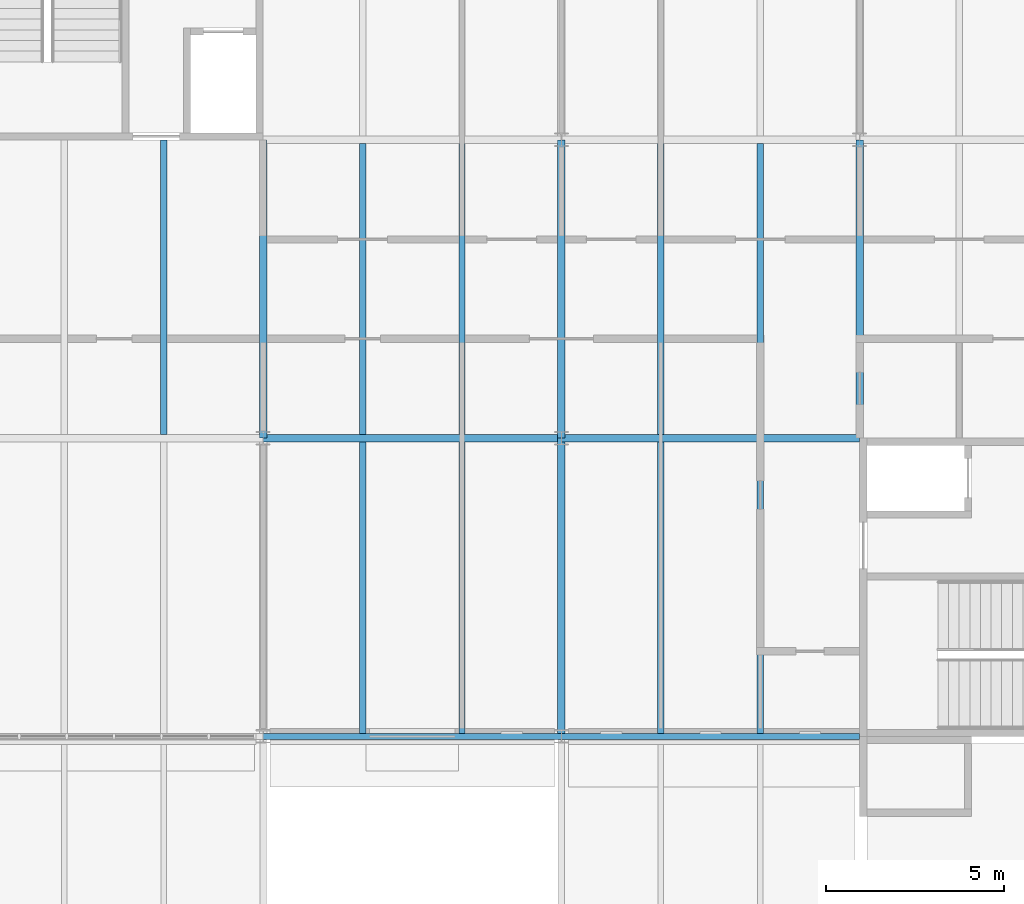
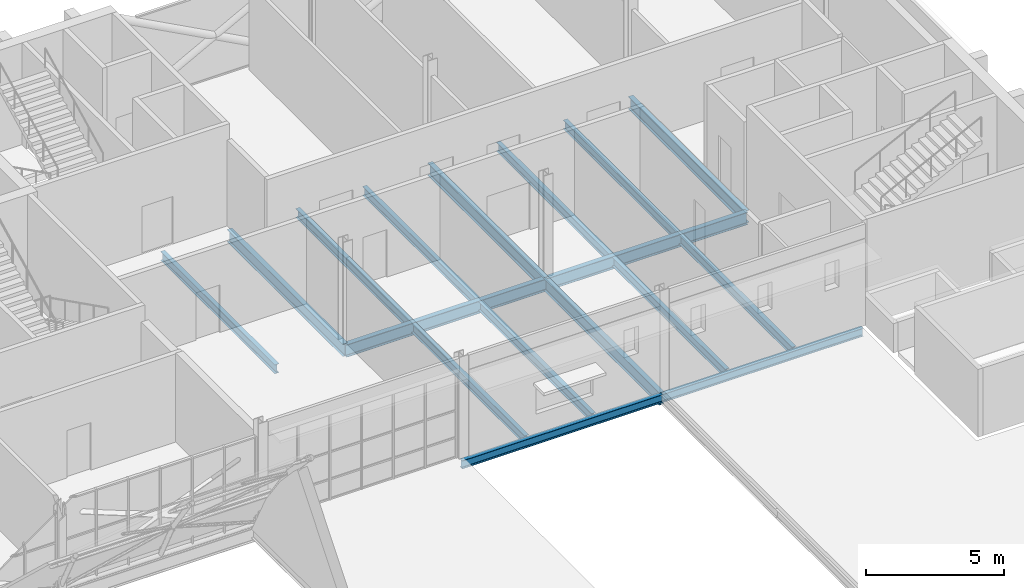
# One storey, part 59 of 121: 17 beams.
"""IFC4 building model written with IfcOpenShell, lengths in metres."""

from ifc_helpers import new_model, si_unit, direction, frame, origin, origin_2d, place, context, subcontext, project, spatial, i_section, extrude, material, material_profile, profile_set, type_object, element, save


model = new_model("IFC4")

# Units and contexts
model_context = context("Model", 3, precision=1e-05, world=origin(), true_north=direction((0.0, 1.0)))
body_context = subcontext(model_context, "Body", "Model", "MODEL_VIEW")
ifc_project = project(units=[si_unit("LENGTHUNIT", "METRE"), si_unit("AREAUNIT", "SQUARE_METRE"), si_unit("VOLUMEUNIT", "CUBIC_METRE"), si_unit("PLANEANGLEUNIT", "RADIAN"), si_unit("MASSUNIT", "GRAM", prefix="KILO")], contexts=[model_context])

# Site, building, storey
site_placement = place(None, origin())
site = spatial("IfcSite", under=ifc_project, at=site_placement, CompositionType="ELEMENT")
building_placement = place(site_placement, origin())
building = spatial("IfcBuilding", under=site, at=building_placement, Name="Ardhachandra Cancer Care Centre", CompositionType="ELEMENT")
storey_placement = place(building_placement, frame((0.0, 0.0, 9.0)))
storey = spatial("IfcBuildingStorey", under=building, at=storey_placement, Name="L02", CompositionType="ELEMENT", Elevation=9.0)

# Beams
ifc_material_1 = material(Name="Steel E350 (IS 2062)", Category="steel")
ifc_material_profile_1 = material_profile(ifc_material_1, i_section(OverallWidth=0.172119140625, OverallDepth=0.364013671875, WebThickness=0.00927734375, FlangeThickness=0.0146484375, FilletRadius=0.01806640625, at=origin_2d()), Name="NPB 350x170x66.04")
ifc_profile_set_1 = profile_set([ifc_material_profile_1], Name="Steel E350 (IS 2062)")
beam_type_1 = type_object("IfcBeamType", Name="Beam NPB 350x170x66.04", PredefinedType="BEAM", material=ifc_profile_set_1)
beam_1_placement = place(storey_placement, frame((120.0, 79.800048828125, -0.382080078125), z_axis=(1.0, 0.0, 0.0), x_axis=(0.0, 1.0, 0.0)))
element("IfcBeam", 1, at=beam_1_placement, inside=storey, type_object=beam_type_1, Name="Edge girder J14-J15", PredefinedType="BEAM", context=body_context, shape_type="SweptSolid", body=[
    extrude(i_section(OverallWidth=0.172119140625, OverallDepth=0.364013671875, WebThickness=0.00927734375, FlangeThickness=0.0146484375, FilletRadius=0.01806640625, at=origin_2d()), origin(), (0.0, 0.0, 1.0), 8.39990234375),
])
beam_2_placement = place(storey_placement, frame((128.39990234375, 79.800048828125, -0.382080078125), z_axis=(1.0, 0.0, 0.0), x_axis=(0.0, 1.0, 0.0)))
element("IfcBeam", 2, at=beam_2_placement, inside=storey, type_object=beam_type_1, Name="Edge girder J15-J16", PredefinedType="BEAM", context=body_context, shape_type="SweptSolid", body=[
    extrude(i_section(OverallWidth=0.172119140625, OverallDepth=0.364013671875, WebThickness=0.00927734375, FlangeThickness=0.0146484375, FilletRadius=0.01806640625, at=origin_2d()), origin(), (0.0, 0.0, 1.0), 8.400146484375),
])
ifc_material_2 = material(Name="Steel E350 (IS 2062)", Category="steel")
ifc_material_profile_2 = material_profile(ifc_material_2, i_section(OverallWidth=0.179931640625, OverallDepth=0.39990234375, WebThickness=0.008544921875, FlangeThickness=0.013427734375, FilletRadius=0.02099609375, at=origin_2d()), Name="NPB 400x180x66.30")
ifc_profile_set_2 = profile_set([ifc_material_profile_2], Name="Steel E350 (IS 2062)")
beam_type_2 = type_object("IfcBeamType", Name="Beam NPB 400x180x66.30", PredefinedType="BEAM", material=ifc_profile_set_2)
beam_3_placement = place(storey_placement, frame((117.199951171875, 88.304931640625, -0.35009765625), z_axis=(0.0, 1.0, 0.0), x_axis=(-1.0, 0.0, 0.0)))
element("IfcBeam", 3, at=beam_3_placement, inside=storey, type_object=beam_type_2, Name="Secondary K13-L13@5600", PredefinedType="BEAM", context=body_context, shape_type="SweptSolid", body=[
    extrude(i_section(OverallWidth=0.179931640625, OverallDepth=0.39990234375, WebThickness=0.008544921875, FlangeThickness=0.013427734375, FilletRadius=0.02099609375, at=origin_2d()), origin(), (0.0, 0.0, 1.0), 8.295166015625),
])
beam_4_placement = place(storey_placement, frame((122.800048828125, 79.885986328125, -0.35009765625), z_axis=(0.0, 1.0, 0.0), x_axis=(-1.0, 0.0, 0.0)))
element("IfcBeam", 4, at=beam_4_placement, inside=storey, type_object=beam_type_2, Name="Secondary J14-K14@2800", PredefinedType="BEAM", context=body_context, shape_type="SweptSolid", body=[
    extrude(i_section(OverallWidth=0.179931640625, OverallDepth=0.39990234375, WebThickness=0.008544921875, FlangeThickness=0.013427734375, FilletRadius=0.02099609375, at=origin_2d()), origin(), (0.0, 0.0, 1.0), 8.208984375),
])
beam_5_placement = place(storey_placement, frame((122.800048828125, 88.304931640625, -0.35009765625), z_axis=(0.0, 1.0, 0.0), x_axis=(-1.0, 0.0, 0.0)))
element("IfcBeam", 5, at=beam_5_placement, inside=storey, type_object=beam_type_2, Name="Secondary K14-L14@2800", PredefinedType="BEAM", context=body_context, shape_type="SweptSolid", body=[
    extrude(i_section(OverallWidth=0.179931640625, OverallDepth=0.39990234375, WebThickness=0.008544921875, FlangeThickness=0.013427734375, FilletRadius=0.02099609375, at=origin_2d()), origin(), (0.0, 0.0, 1.0), 8.190185546875),
])
beam_6_placement = place(storey_placement, frame((125.60009765625, 79.885986328125, -0.35009765625), z_axis=(0.0, 1.0, 0.0), x_axis=(-1.0, 0.0, 0.0)))
element("IfcBeam", 6, at=beam_6_placement, inside=storey, type_object=beam_type_2, Name="Secondary J14-K14@5600", PredefinedType="BEAM", context=body_context, shape_type="SweptSolid", body=[
    extrude(i_section(OverallWidth=0.179931640625, OverallDepth=0.39990234375, WebThickness=0.008544921875, FlangeThickness=0.013427734375, FilletRadius=0.02099609375, at=origin_2d()), origin(), (0.0, 0.0, 1.0), 8.208984375),
])
beam_7_placement = place(storey_placement, frame((125.60009765625, 88.304931640625, -0.35009765625), z_axis=(0.0, 1.0, 0.0), x_axis=(-1.0, 0.0, 0.0)))
element("IfcBeam", 7, at=beam_7_placement, inside=storey, type_object=beam_type_2, Name="Secondary K14-L14@5600", PredefinedType="BEAM", context=body_context, shape_type="SweptSolid", body=[
    extrude(i_section(OverallWidth=0.179931640625, OverallDepth=0.39990234375, WebThickness=0.008544921875, FlangeThickness=0.013427734375, FilletRadius=0.02099609375, at=origin_2d()), origin(), (0.0, 0.0, 1.0), 8.190185546875),
])
beam_8_placement = place(storey_placement, frame((131.199951171875, 79.885986328125, -0.35009765625), z_axis=(0.0, 1.0, 0.0), x_axis=(-1.0, 0.0, 0.0)))
element("IfcBeam", 8, at=beam_8_placement, inside=storey, type_object=beam_type_2, Name="Secondary J15-K15@2800", PredefinedType="BEAM", context=body_context, shape_type="SweptSolid", body=[
    extrude(i_section(OverallWidth=0.179931640625, OverallDepth=0.39990234375, WebThickness=0.008544921875, FlangeThickness=0.013427734375, FilletRadius=0.02099609375, at=origin_2d()), origin(), (0.0, 0.0, 1.0), 8.208984375),
])
beam_9_placement = place(storey_placement, frame((131.199951171875, 88.304931640625, -0.35009765625), z_axis=(0.0, 1.0, 0.0), x_axis=(-1.0, 0.0, 0.0)))
element("IfcBeam", 9, at=beam_9_placement, inside=storey, type_object=beam_type_2, Name="Secondary K15-L15@2800", PredefinedType="BEAM", context=body_context, shape_type="SweptSolid", body=[
    extrude(i_section(OverallWidth=0.179931640625, OverallDepth=0.39990234375, WebThickness=0.008544921875, FlangeThickness=0.013427734375, FilletRadius=0.02099609375, at=origin_2d()), origin(), (0.0, 0.0, 1.0), 8.190185546875),
])
beam_10_placement = place(storey_placement, frame((134.0, 79.885986328125, -0.35009765625), z_axis=(0.0, 1.0, 0.0), x_axis=(-1.0, 0.0, 0.0)))
element("IfcBeam", 10, at=beam_10_placement, inside=storey, type_object=beam_type_2, Name="Secondary J15-K15@5600", PredefinedType="BEAM", context=body_context, shape_type="SweptSolid", body=[
    extrude(i_section(OverallWidth=0.179931640625, OverallDepth=0.39990234375, WebThickness=0.008544921875, FlangeThickness=0.013427734375, FilletRadius=0.02099609375, at=origin_2d()), origin(), (0.0, 0.0, 1.0), 8.208984375),
])
beam_11_placement = place(storey_placement, frame((134.0, 88.304931640625, -0.35009765625), z_axis=(0.0, 1.0, 0.0), x_axis=(-1.0, 0.0, 0.0)))
element("IfcBeam", 11, at=beam_11_placement, inside=storey, type_object=beam_type_2, Name="Secondary K15-L15@5600", PredefinedType="BEAM", context=body_context, shape_type="SweptSolid", body=[
    extrude(i_section(OverallWidth=0.179931640625, OverallDepth=0.39990234375, WebThickness=0.008544921875, FlangeThickness=0.013427734375, FilletRadius=0.02099609375, at=origin_2d()), origin(), (0.0, 0.0, 1.0), 8.190185546875),
])
ifc_material_3 = material(Name="Steel E350 (IS 2062)", Category="steel")
ifc_material_profile_3 = material_profile(ifc_material_3, i_section(OverallWidth=0.2099609375, OverallDepth=0.550048828125, WebThickness=0.010986328125, FlangeThickness=0.01708984375, FilletRadius=0.02392578125, at=origin_2d()), Name="NPB 550x210x105.52")
ifc_profile_set_3 = profile_set([ifc_material_profile_3], Name="Steel E350 (IS 2062)")
beam_type_3 = type_object("IfcBeamType", Name="Beam NPB 550x210x105.52", PredefinedType="BEAM", material=ifc_profile_set_3)
beam_12_placement = place(storey_placement, frame((120.0, 88.199951171875, -0.425048828125), z_axis=(1.0, 0.0, 0.0), x_axis=(0.0, 1.0, 0.0)))
element("IfcBeam", 12, at=beam_12_placement, inside=storey, type_object=beam_type_3, Name="Girder K14-K15", PredefinedType="BEAM", context=body_context, shape_type="SweptSolid", body=[
    extrude(i_section(OverallWidth=0.2099609375, OverallDepth=0.550048828125, WebThickness=0.010986328125, FlangeThickness=0.01708984375, FilletRadius=0.02392578125, at=origin_2d()), origin(), (0.0, 0.0, 1.0), 8.39990234375),
])
for number, where, z_axis, x_axis, name in (
    (13, (128.39990234375, 88.199951171875, -0.425048828125), (1.0, 0.0, 0.0), (0.0, 1.0, 0.0), "Girder K15-K16"),
    (14, (120.0, 88.199951171875, -0.425048828125), (0.0, 1.0, 0.0), (-1.0, 0.0, 0.0), "Girder K14-L14"),
):
    element("IfcBeam", number, at=place(storey_placement, frame(where, z_axis=z_axis, x_axis=x_axis)), inside=storey, type_object=beam_type_3, Name=name, PredefinedType="BEAM", context=body_context, shape_type="SweptSolid", body=[
        extrude(i_section(OverallWidth=0.2099609375, OverallDepth=0.550048828125, WebThickness=0.010986328125, FlangeThickness=0.01708984375, FilletRadius=0.02392578125, at=origin_2d()), origin(), (0.0, 0.0, 1.0), 8.400146484375),
    ])
beam_13_placement = place(storey_placement, frame((128.39990234375, 79.800048828125, -0.425048828125), z_axis=(0.0, 1.0, 0.0), x_axis=(-1.0, 0.0, 0.0)))
element("IfcBeam", 15, at=beam_13_placement, inside=storey, type_object=beam_type_3, Name="Girder J15-K15", PredefinedType="BEAM", context=body_context, shape_type="SweptSolid", body=[
    extrude(i_section(OverallWidth=0.2099609375, OverallDepth=0.550048828125, WebThickness=0.010986328125, FlangeThickness=0.01708984375, FilletRadius=0.02392578125, at=origin_2d()), origin(), (0.0, 0.0, 1.0), 8.39990234375),
])
for number, where, z_axis, x_axis, name in (
    (16, (128.39990234375, 88.199951171875, -0.425048828125), (0.0, 1.0, 0.0), (-1.0, 0.0, 0.0), "Girder K15-L15"),
    (17, (136.800048828125, 88.199951171875, -0.425048828125), (0.0, 1.0, 0.0), (-1.0, 0.0, 0.0), "Girder K16-L16"),
):
    element("IfcBeam", number, at=place(storey_placement, frame(where, z_axis=z_axis, x_axis=x_axis)), inside=storey, type_object=beam_type_3, Name=name, PredefinedType="BEAM", context=body_context, shape_type="SweptSolid", body=[
        extrude(i_section(OverallWidth=0.2099609375, OverallDepth=0.550048828125, WebThickness=0.010986328125, FlangeThickness=0.01708984375, FilletRadius=0.02392578125, at=origin_2d()), origin(), (0.0, 0.0, 1.0), 8.400146484375),
    ])

save(model, "model.ifc")
